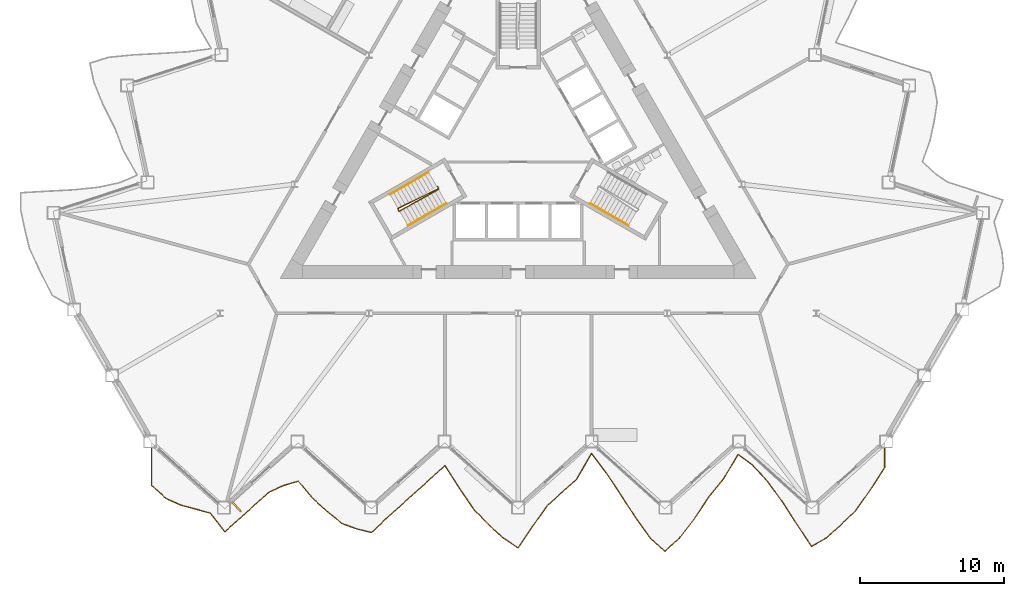
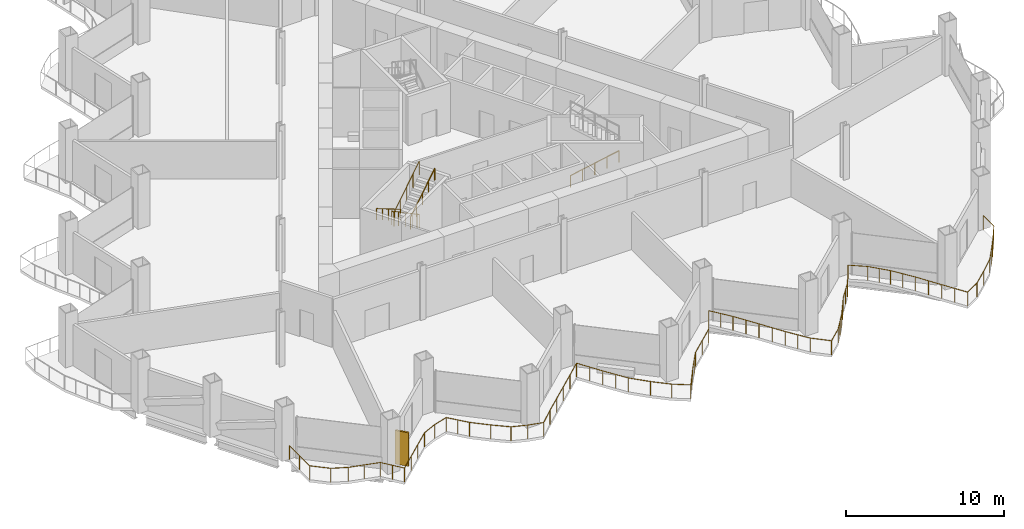
# One storey, part 17 of 21: 5 railings, 1 shading device.
"""IFC4 building model written with IfcOpenShell, lengths in metres."""

from ifc_helpers import new_model, si_unit, direction, frame, origin, origin_2d, place, context, subcontext, project, spatial, rectangle, circle, extrude, material, layer, layer_set, type_object, element, save


model = new_model("IFC4")

# Units and contexts
model_context = context("Model", 3, precision=1e-05, world=origin(), true_north=direction((0.0, 1.0)))
body_context = subcontext(model_context, "Body", "Model", "MODEL_VIEW")
ifc_project = project(units=[si_unit("LENGTHUNIT", "METRE"), si_unit("AREAUNIT", "SQUARE_METRE"), si_unit("VOLUMEUNIT", "CUBIC_METRE"), si_unit("PLANEANGLEUNIT", "RADIAN"), si_unit("MASSUNIT", "GRAM", prefix="KILO")], contexts=[model_context])

# Site, building, storey
site_placement = place(None, origin())
site = spatial("IfcSite", under=ifc_project, at=site_placement, CompositionType="ELEMENT")
building_placement = place(site_placement, origin())
building = spatial("IfcBuilding", under=site, at=building_placement, Name="Cormorant Prow Tower", CompositionType="ELEMENT")
storey_placement = place(building_placement, frame((0.0, 0.0, 150.0)))
storey = spatial("IfcBuildingStorey", under=building, at=storey_placement, Name="L32", CompositionType="ELEMENT", Elevation=150.0)

# Railings
ifc_material_1 = material(Name="Aluminium 6063-T6", Category="aluminium")
railing_type_1 = type_object("IfcRailingType", Name="Balcony guard 1100", PredefinedType="GUARDRAIL", material=ifc_material_1)
railing_1_placement = place(storey_placement, frame((-25.406982421875, -21.28173828125, 0.0)))
element("IfcRailing", 1, at=railing_1_placement, inside=storey, type_object=railing_type_1, Name="Balcony guard S", PredefinedType="GUARDRAIL", context=body_context, shape_type="SweptSolid", body=[
    extrude(circle(Radius=0.02392578125, at=origin_2d()), frame((0.0, 0.0, 1.076171875), z_axis=(0.0, -1.0, 0.0), x_axis=(1.0, 0.0, 0.0)), (0.0, 0.0, 1.0), 2.570068359375),
    extrude(circle(Radius=0.02392578125, at=origin_2d()), frame((0.0, -2.570068359375, 1.076171875), z_axis=(0.74309880159, -0.66918171753, 0.0), x_axis=(0.66918171753, 0.74309880159, 0.0)), (0.0, 0.0, 1.0), 1.367431640625),
    extrude(circle(Radius=0.02392578125, at=origin_2d()), frame((1.01611328125, -3.485107421875, 1.076171875), z_axis=(0.910800547714, -0.412846657107, 0.0), x_axis=(0.412846657107, 0.910800547714, 0.0)), (0.0, 0.0, 1.0), 1.115966796875),
    extrude(circle(Radius=0.02392578125, at=origin_2d()), frame((2.032470703125, -3.94580078125, 1.076171875), z_axis=(0.966688326901, -0.255956399867, 0.0), x_axis=(0.255956399867, 0.966688326901, 0.0)), (0.0, 0.0, 1.0), 1.051025390625),
    extrude(circle(Radius=0.02392578125, at=origin_2d()), frame((3.048583984375, -4.21484375, 1.076171875), z_axis=(0.963302113843, -0.268419517669, 0.0), x_axis=(0.268419517669, 0.963302113843, 0.0)), (0.0, 0.0, 1.0), 1.05517578125),
    extrude(circle(Radius=0.02392578125, at=origin_2d()), frame((4.06494140625, -4.498046875, 1.076171875), z_axis=(0.616767557599, -0.787145335941, 0.0), x_axis=(0.787145335941, 0.616767557599, 0.0)), (0.0, 0.0, 1.0), 1.64794921875),
    extrude(circle(Radius=0.02392578125, at=origin_2d()), frame((5.081298828125, -5.795166015625, 1.076171875), z_axis=(0.743267512423, 0.668994323576, 0.0), x_axis=(-0.668994323576, 0.743267512423, 0.0)), (0.0, 0.0, 1.0), 1.367431640625),
    extrude(circle(Radius=0.02392578125, at=origin_2d()), frame((6.09765625, -4.88037109375, 1.076171875), z_axis=(0.743010021575, 0.669280290938, 0.0), x_axis=(-0.669280290938, 0.743010021575, 0.0)), (0.0, 0.0, 1.0), 1.36767578125),
    extrude(circle(Radius=0.02392578125, at=origin_2d()), frame((7.11376953125, -3.965087890625, 1.076171875), z_axis=(0.743178738286, 0.66909294045, 0.0), x_axis=(-0.66909294045, 0.743178738286, 0.0)), (0.0, 0.0, 1.0), 1.36767578125),
    extrude(circle(Radius=0.02392578125, at=origin_2d()), frame((8.130126953125, -3.050048828125, 1.076171875), z_axis=(0.90956415091, 0.415563539522, 0.0), x_axis=(-0.415563539522, 0.90956415091, 0.0)), (0.0, 0.0, 1.0), 1.117431640625),
    extrude(circle(Radius=0.02392578125, at=origin_2d()), frame((9.146484375, -2.585693359375, 1.076171875), z_axis=(0.95874697123, 0.28426087518, 0.0), x_axis=(-0.28426087518, 0.95874697123, 0.0)), (0.0, 0.0, 1.0), 1.059814453125),
    extrude(circle(Radius=0.02392578125, at=origin_2d()), frame((10.16259765625, -2.284423828125, 1.076171875), z_axis=(0.646088329609, -0.763262648335, 0.0), x_axis=(0.763262648335, 0.646088329609, 0.0)), (0.0, 0.0, 1.0), 1.572998046875),
    extrude(circle(Radius=0.02392578125, at=origin_2d()), frame((11.178955078125, -3.485107421875, 1.076171875), z_axis=(0.743178738286, -0.66909294045, 0.0), x_axis=(0.66909294045, 0.743178738286, 0.0)), (0.0, 0.0, 1.0), 1.36767578125),
    extrude(circle(Radius=0.02392578125, at=origin_2d()), frame((12.1953125, -4.400146484375, 1.076171875), z_axis=(0.777340526848, -0.62908004683, 0.0), x_axis=(0.62908004683, 0.777340526848, 0.0)), (0.0, 0.0, 1.0), 1.307373046875),
    extrude(circle(Radius=0.02392578125, at=origin_2d()), frame((13.211669921875, -5.22265625, 1.076171875), z_axis=(0.939898875308, -0.341452931155, 0.0), x_axis=(0.341452931155, 0.939898875308, 0.0)), (0.0, 0.0, 1.0), 1.0810546875),
    extrude(circle(Radius=0.02392578125, at=origin_2d()), frame((14.227783203125, -5.591796875, 1.076171875), z_axis=(0.970347817748, -0.241712872209, 0.0), x_axis=(0.241712872209, 0.970347817748, 0.0)), (0.0, 0.0, 1.0), 1.04736328125),
    extrude(circle(Radius=0.02392578125, at=origin_2d()), frame((15.244140625, -5.844970703125, 1.076171875), z_axis=(0.725334306723, 0.688396792185, 0.0), x_axis=(-0.688396792185, 0.725334306723, 0.0)), (0.0, 0.0, 1.0), 1.401123046875),
    extrude(circle(Radius=0.02392578125, at=origin_2d()), frame((16.260498046875, -4.88037109375, 1.076171875), z_axis=(0.743010021575, 0.669280290938, 0.0), x_axis=(-0.669280290938, 0.743010021575, 0.0)), (0.0, 0.0, 1.0), 1.36767578125),
    extrude(circle(Radius=0.02392578125, at=origin_2d()), frame((17.276611328125, -3.965087890625, 1.076171875), z_axis=(0.743178738286, 0.66909294045, 0.0), x_axis=(-0.66909294045, 0.743178738286, 0.0)), (0.0, 0.0, 1.0), 1.36767578125),
    extrude(circle(Radius=0.02392578125, at=origin_2d()), frame((18.29296875, -3.050048828125, 1.076171875), z_axis=(0.743178738286, 0.66909294045, 0.0), x_axis=(-0.66909294045, 0.743178738286, 0.0)), (0.0, 0.0, 1.0), 1.36767578125),
    extrude(circle(Radius=0.02392578125, at=origin_2d()), frame((19.309326171875, -2.135009765625, 1.076171875), z_axis=(0.737690862184, 0.67513864639, 0.0), x_axis=(-0.67513864639, 0.737690862184, 0.0)), (0.0, 0.0, 1.0), 1.377685546875),
    extrude(circle(Radius=0.02392578125, at=origin_2d()), frame((20.32568359375, -1.204833984375, 1.076171875), z_axis=(0.541362265763, -0.840789448797, 0.0), x_axis=(0.840789448797, 0.541362265763, 0.0)), (0.0, 0.0, 1.0), 1.876953125),
    extrude(circle(Radius=0.02392578125, at=origin_2d()), frame((21.341796875, -2.782958984375, 1.076171875), z_axis=(0.5659747832, -0.824422552325, 0.0), x_axis=(0.824422552325, 0.5659747832, 0.0)), (0.0, 0.0, 1.0), 1.795654296875),
    extrude(circle(Radius=0.02392578125, at=origin_2d()), frame((22.358154296875, -4.263427734375, 1.076171875), z_axis=(0.694814948, -0.719188562226, 0.0), x_axis=(0.719188562226, 0.694814948, 0.0)), (0.0, 0.0, 1.0), 1.46240234375),
    extrude(circle(Radius=0.02392578125, at=origin_2d()), frame((23.374267578125, -5.315185546875, 1.076171875), z_axis=(0.743178738286, -0.66909294045, 0.0), x_axis=(0.66909294045, 0.743178738286, 0.0)), (0.0, 0.0, 1.0), 1.36767578125),
    extrude(circle(Radius=0.02392578125, at=origin_2d()), frame((24.390625, -6.230224609375, 1.076171875), z_axis=(0.830697075509, -0.556724679479, 0.0), x_axis=(0.556724679479, 0.830697075509, 0.0)), (0.0, 0.0, 1.0), 1.223388671875),
    extrude(circle(Radius=0.02392578125, at=origin_2d()), frame((25.406982421875, -6.911376953125, 1.076171875), z_axis=(0.557261507193, 0.83033704759, 0.0), x_axis=(-0.83033704759, 0.557261507193, 0.0)), (0.0, 0.0, 1.0), 1.82373046875),
    extrude(circle(Radius=0.02392578125, at=origin_2d()), frame((26.42333984375, -5.39697265625, 1.076171875), z_axis=(0.578815608852, 0.81545845446, 0.0), x_axis=(-0.81545845446, 0.578815608852, 0.0)), (0.0, 0.0, 1.0), 1.755859375),
    extrude(circle(Radius=0.02392578125, at=origin_2d()), frame((27.439697265625, -3.965087890625, 1.076171875), z_axis=(0.74309880159, 0.66918171753, 0.0), x_axis=(-0.66918171753, 0.74309880159, 0.0)), (0.0, 0.0, 1.0), 1.367431640625),
    extrude(circle(Radius=0.02392578125, at=origin_2d()), frame((28.455810546875, -3.050048828125, 1.076171875), z_axis=(0.743178738286, 0.66909294045, 0.0), x_axis=(-0.66909294045, 0.743178738286, 0.0)), (0.0, 0.0, 1.0), 1.36767578125),
    extrude(circle(Radius=0.02392578125, at=origin_2d()), frame((29.47216796875, -2.135009765625, 1.076171875), z_axis=(0.498950803008, 0.866630311135, 0.0), x_axis=(-0.866630311135, 0.498950803008, 0.0)), (0.0, 0.0, 1.0), 2.03662109375),
    extrude(circle(Radius=0.02392578125, at=origin_2d()), frame((30.48828125, -0.3701171875, 1.076171875), z_axis=(0.607867350829, -0.794038590874, 0.0), x_axis=(0.794038590874, 0.607867350829, 0.0)), (0.0, 0.0, 1.0), 1.672119140625),
    extrude(circle(Radius=0.02392578125, at=origin_2d()), frame((31.504638671875, -1.69775390625, 1.076171875), z_axis=(0.551974021557, -0.833861307128, 0.0), x_axis=(0.833861307128, 0.551974021557, 0.0)), (0.0, 0.0, 1.0), 1.84130859375),
    extrude(circle(Radius=0.02392578125, at=origin_2d()), frame((32.52099609375, -3.233154296875, 1.076171875), z_axis=(0.543890343135, -0.839156299294, 0.0), x_axis=(0.839156299294, 0.543890343135, 0.0)), (0.0, 0.0, 1.0), 1.86865234375),
    extrude(circle(Radius=0.02392578125, at=origin_2d()), frame((33.537353515625, -4.80126953125, 1.076171875), z_axis=(0.582614503828, -0.812748632683, 0.0), x_axis=(0.812748632683, 0.582614503828, 0.0)), (0.0, 0.0, 1.0), 1.744140625),
    extrude(circle(Radius=0.02392578125, at=origin_2d()), frame((34.553466796875, -6.21875, 1.076171875), z_axis=(0.73901562926, -0.673688280817, 0.0), x_axis=(0.673688280817, 0.73901562926, 0.0)), (0.0, 0.0, 1.0), 1.375244140625),
    extrude(circle(Radius=0.02392578125, at=origin_2d()), frame((35.56982421875, -7.145263671875, 1.076171875), z_axis=(0.743178738286, 0.66909294045, 0.0), x_axis=(-0.66909294045, 0.743178738286, 0.0)), (0.0, 0.0, 1.0), 1.36767578125),
    extrude(circle(Radius=0.02392578125, at=origin_2d()), frame((36.586181640625, -6.230224609375, 1.076171875), z_axis=(0.612380904836, 0.790562854802, 0.0), x_axis=(-0.790562854802, 0.612380904836, 0.0)), (0.0, 0.0, 1.0), 1.6591796875),
    extrude(circle(Radius=0.02392578125, at=origin_2d()), frame((37.602294921875, -4.91845703125, 1.076171875), z_axis=(0.547848443365, 0.836577601363, 0.0), x_axis=(-0.836577601363, 0.547848443365, 0.0)), (0.0, 0.0, 1.0), 1.855224609375),
    extrude(circle(Radius=0.02392578125, at=origin_2d()), frame((38.61865234375, -3.366455078125, 1.076171875), z_axis=(0.636537608326, 0.771245663318, 0.0), x_axis=(-0.771245663318, 0.636537608326, 0.0)), (0.0, 0.0, 1.0), 1.5966796875),
    extrude(circle(Radius=0.02392578125, at=origin_2d()), frame((39.635009765625, -2.135009765625, 1.076171875), z_axis=(0.511799383387, 0.859104994261, 0.0), x_axis=(-0.859104994261, 0.511799383387, 0.0)), (0.0, 0.0, 1.0), 1.98583984375),
    extrude(circle(Radius=0.02392578125, at=origin_2d()), frame((40.6513671875, -0.428955078125, 1.076171875), z_axis=(0.802076500161, -0.597221305622, 0.0), x_axis=(0.597221305622, 0.802076500161, 0.0)), (0.0, 0.0, 1.0), 1.266845703125),
    extrude(circle(Radius=0.02392578125, at=origin_2d()), frame((41.66748046875, -1.185546875, 1.076171875), z_axis=(0.675842243464, -0.73704630923, 0.0), x_axis=(0.73704630923, 0.675842243464, 0.0)), (0.0, 0.0, 1.0), 1.50390625),
    extrude(circle(Radius=0.02392578125, at=origin_2d()), frame((42.683837890625, -2.2939453125, 1.076171875), z_axis=(0.585901565641, -0.810382227951, 0.0), x_axis=(0.810382227951, 0.585901565641, 0.0)), (0.0, 0.0, 1.0), 1.734619140625),
    extrude(circle(Radius=0.02392578125, at=origin_2d()), frame((43.7001953125, -3.69970703125, 1.076171875), z_axis=(0.54457436519, -0.838712561476, 0.0), x_axis=(0.838712561476, 0.54457436519, 0.0)), (0.0, 0.0, 1.0), 1.865966796875),
    extrude(circle(Radius=0.02392578125, at=origin_2d()), frame((44.71630859375, -5.2646484375, 1.076171875), z_axis=(0.550512395997, -0.834826989174, 0.0), x_axis=(0.834826989174, 0.550512395997, 0.0)), (0.0, 0.0, 1.0), 1.84619140625),
    extrude(circle(Radius=0.02392578125, at=origin_2d()), frame((45.732666015625, -6.805908203125, 1.076171875), z_axis=(0.870114810567, 0.492849080787, 0.0), x_axis=(-0.492849080787, 0.870114810567, 0.0)), (0.0, 0.0, 1.0), 1.16796875),
    extrude(circle(Radius=0.02392578125, at=origin_2d()), frame((46.7490234375, -6.230224609375, 1.076171875), z_axis=(0.743178738286, 0.66909294045, 0.0), x_axis=(-0.66909294045, 0.743178738286, 0.0)), (0.0, 0.0, 1.0), 1.36767578125),
    extrude(circle(Radius=0.02392578125, at=origin_2d()), frame((47.765380859375, -5.315185546875, 1.076171875), z_axis=(0.724729830954, 0.68903314298, 0.0), x_axis=(-0.68903314298, 0.724729830954, 0.0)), (0.0, 0.0, 1.0), 1.402099609375),
    extrude(circle(Radius=0.02392578125, at=origin_2d()), frame((48.781494140625, -4.34912109375, 1.076171875), z_axis=(0.576590751508, 0.817033111493, 0.0), x_axis=(-0.817033111493, 0.576590751508, 0.0)), (0.0, 0.0, 1.0), 1.7626953125),
    extrude(circle(Radius=0.02392578125, at=origin_2d()), frame((49.7978515625, -2.908935546875, 1.076171875), z_axis=(0.542489022655, 0.840062890681, 0.0), x_axis=(-0.840062890681, 0.542489022655, 0.0)), (0.0, 0.0, 1.0), 1.873046875),
    extrude(circle(Radius=0.02392578125, at=origin_2d()), frame((50.81396484375, -1.33544921875, 1.076171875), z_axis=(0.0, 1.0, 0.0), x_axis=(-1.0, 0.0, 0.0)), (0.0, 0.0, 1.0), 1.33544921875),
    extrude(circle(Radius=0.02099609375, at=origin_2d()), origin(), (0.0, 0.0, 1.0), 1.052001953125),
    extrude(circle(Radius=0.02099609375, at=origin_2d()), frame((0.0, -1.28515625, 0.0)), (0.0, 0.0, 1.0), 1.052001953125),
    extrude(circle(Radius=0.02099609375, at=origin_2d()), frame((0.0, -2.570068359375, 0.0)), (0.0, 0.0, 1.0), 1.052001953125),
    extrude(circle(Radius=0.02099609375, at=origin_2d()), frame((1.01611328125, -3.485107421875, 0.0)), (0.0, 0.0, 1.0), 1.052001953125),
    extrude(circle(Radius=0.02099609375, at=origin_2d()), frame((2.032470703125, -3.94580078125, 0.0)), (0.0, 0.0, 1.0), 1.052001953125),
    extrude(circle(Radius=0.02099609375, at=origin_2d()), frame((3.048583984375, -4.21484375, 0.0)), (0.0, 0.0, 1.0), 1.052001953125),
    extrude(circle(Radius=0.02099609375, at=origin_2d()), frame((4.06494140625, -4.498046875, 0.0)), (0.0, 0.0, 1.0), 1.052001953125),
    extrude(circle(Radius=0.02099609375, at=origin_2d()), frame((4.5732421875, -5.146484375, 0.0)), (0.0, 0.0, 1.0), 1.052001953125),
    extrude(circle(Radius=0.02099609375, at=origin_2d()), frame((5.081298828125, -5.795166015625, 0.0)), (0.0, 0.0, 1.0), 1.052001953125),
    extrude(circle(Radius=0.02099609375, at=origin_2d()), frame((6.09765625, -4.88037109375, 0.0)), (0.0, 0.0, 1.0), 1.052001953125),
    extrude(circle(Radius=0.02099609375, at=origin_2d()), frame((7.11376953125, -3.965087890625, 0.0)), (0.0, 0.0, 1.0), 1.052001953125),
    extrude(circle(Radius=0.02099609375, at=origin_2d()), frame((8.130126953125, -3.050048828125, 0.0)), (0.0, 0.0, 1.0), 1.052001953125),
    extrude(circle(Radius=0.02099609375, at=origin_2d()), frame((9.146484375, -2.585693359375, 0.0)), (0.0, 0.0, 1.0), 1.052001953125),
    extrude(circle(Radius=0.02099609375, at=origin_2d()), frame((10.16259765625, -2.284423828125, 0.0)), (0.0, 0.0, 1.0), 1.052001953125),
    extrude(circle(Radius=0.02099609375, at=origin_2d()), frame((10.6708984375, -2.884765625, 0.0)), (0.0, 0.0, 1.0), 1.052001953125),
    extrude(circle(Radius=0.02099609375, at=origin_2d()), frame((11.178955078125, -3.485107421875, 0.0)), (0.0, 0.0, 1.0), 1.052001953125),
    extrude(circle(Radius=0.02099609375, at=origin_2d()), frame((12.1953125, -4.400146484375, 0.0)), (0.0, 0.0, 1.0), 1.052001953125),
    extrude(circle(Radius=0.02099609375, at=origin_2d()), frame((13.211669921875, -5.22265625, 0.0)), (0.0, 0.0, 1.0), 1.052001953125),
    extrude(circle(Radius=0.02099609375, at=origin_2d()), frame((14.227783203125, -5.591796875, 0.0)), (0.0, 0.0, 1.0), 1.052001953125),
    extrude(circle(Radius=0.02099609375, at=origin_2d()), frame((15.244140625, -5.844970703125, 0.0)), (0.0, 0.0, 1.0), 1.052001953125),
    extrude(circle(Radius=0.02099609375, at=origin_2d()), frame((16.260498046875, -4.88037109375, 0.0)), (0.0, 0.0, 1.0), 1.052001953125),
    extrude(circle(Radius=0.02099609375, at=origin_2d()), frame((17.276611328125, -3.965087890625, 0.0)), (0.0, 0.0, 1.0), 1.052001953125),
    extrude(circle(Radius=0.02099609375, at=origin_2d()), frame((18.29296875, -3.050048828125, 0.0)), (0.0, 0.0, 1.0), 1.052001953125),
    extrude(circle(Radius=0.02099609375, at=origin_2d()), frame((19.309326171875, -2.135009765625, 0.0)), (0.0, 0.0, 1.0), 1.052001953125),
    extrude(circle(Radius=0.02099609375, at=origin_2d()), frame((20.32568359375, -1.204833984375, 0.0)), (0.0, 0.0, 1.0), 1.052001953125),
    extrude(circle(Radius=0.02099609375, at=origin_2d()), frame((20.833740234375, -1.993896484375, 0.0)), (0.0, 0.0, 1.0), 1.052001953125),
    extrude(circle(Radius=0.02099609375, at=origin_2d()), frame((21.341796875, -2.782958984375, 0.0)), (0.0, 0.0, 1.0), 1.052001953125),
    extrude(circle(Radius=0.02099609375, at=origin_2d()), frame((21.85009765625, -3.523193359375, 0.0)), (0.0, 0.0, 1.0), 1.052001953125),
    extrude(circle(Radius=0.02099609375, at=origin_2d()), frame((22.358154296875, -4.263427734375, 0.0)), (0.0, 0.0, 1.0), 1.052001953125),
    extrude(circle(Radius=0.02099609375, at=origin_2d()), frame((23.374267578125, -5.315185546875, 0.0)), (0.0, 0.0, 1.0), 1.052001953125),
    extrude(circle(Radius=0.02099609375, at=origin_2d()), frame((24.390625, -6.230224609375, 0.0)), (0.0, 0.0, 1.0), 1.052001953125),
    extrude(circle(Radius=0.02099609375, at=origin_2d()), frame((25.406982421875, -6.911376953125, 0.0)), (0.0, 0.0, 1.0), 1.052001953125),
    extrude(circle(Radius=0.02099609375, at=origin_2d()), frame((25.9150390625, -6.154296875, 0.0)), (0.0, 0.0, 1.0), 1.052001953125),
    extrude(circle(Radius=0.02099609375, at=origin_2d()), frame((26.42333984375, -5.39697265625, 0.0)), (0.0, 0.0, 1.0), 1.052001953125),
    extrude(circle(Radius=0.02099609375, at=origin_2d()), frame((26.931640625, -4.68115234375, 0.0)), (0.0, 0.0, 1.0), 1.052001953125),
    extrude(circle(Radius=0.02099609375, at=origin_2d()), frame((27.439697265625, -3.965087890625, 0.0)), (0.0, 0.0, 1.0), 1.052001953125),
    extrude(circle(Radius=0.02099609375, at=origin_2d()), frame((28.455810546875, -3.050048828125, 0.0)), (0.0, 0.0, 1.0), 1.052001953125),
    extrude(circle(Radius=0.02099609375, at=origin_2d()), frame((29.47216796875, -2.135009765625, 0.0)), (0.0, 0.0, 1.0), 1.052001953125),
    extrude(circle(Radius=0.02099609375, at=origin_2d()), frame((29.980224609375, -1.25244140625, 0.0)), (0.0, 0.0, 1.0), 1.052001953125),
    extrude(circle(Radius=0.02099609375, at=origin_2d()), frame((30.48828125, -0.3701171875, 0.0)), (0.0, 0.0, 1.0), 1.052001953125),
    extrude(circle(Radius=0.02099609375, at=origin_2d()), frame((30.99658203125, -1.033935546875, 0.0)), (0.0, 0.0, 1.0), 1.052001953125),
    extrude(circle(Radius=0.02099609375, at=origin_2d()), frame((31.504638671875, -1.69775390625, 0.0)), (0.0, 0.0, 1.0), 1.052001953125),
    extrude(circle(Radius=0.02099609375, at=origin_2d()), frame((32.0126953125, -2.46533203125, 0.0)), (0.0, 0.0, 1.0), 1.052001953125),
    extrude(circle(Radius=0.02099609375, at=origin_2d()), frame((32.52099609375, -3.233154296875, 0.0)), (0.0, 0.0, 1.0), 1.052001953125),
    extrude(circle(Radius=0.02099609375, at=origin_2d()), frame((33.029296875, -4.01708984375, 0.0)), (0.0, 0.0, 1.0), 1.052001953125),
    extrude(circle(Radius=0.02099609375, at=origin_2d()), frame((33.537353515625, -4.80126953125, 0.0)), (0.0, 0.0, 1.0), 1.052001953125),
    extrude(circle(Radius=0.02099609375, at=origin_2d()), frame((34.04541015625, -5.510009765625, 0.0)), (0.0, 0.0, 1.0), 1.052001953125),
    extrude(circle(Radius=0.02099609375, at=origin_2d()), frame((34.553466796875, -6.21875, 0.0)), (0.0, 0.0, 1.0), 1.052001953125),
    extrude(circle(Radius=0.02099609375, at=origin_2d()), frame((35.56982421875, -7.145263671875, 0.0)), (0.0, 0.0, 1.0), 1.052001953125),
    extrude(circle(Radius=0.02099609375, at=origin_2d()), frame((36.586181640625, -6.230224609375, 0.0)), (0.0, 0.0, 1.0), 1.052001953125),
    extrude(circle(Radius=0.02099609375, at=origin_2d()), frame((37.09423828125, -5.57421875, 0.0)), (0.0, 0.0, 1.0), 1.052001953125),
    extrude(circle(Radius=0.02099609375, at=origin_2d()), frame((37.602294921875, -4.91845703125, 0.0)), (0.0, 0.0, 1.0), 1.052001953125),
    extrude(circle(Radius=0.02099609375, at=origin_2d()), frame((38.1103515625, -4.142578125, 0.0)), (0.0, 0.0, 1.0), 1.052001953125),
    extrude(circle(Radius=0.02099609375, at=origin_2d()), frame((38.61865234375, -3.366455078125, 0.0)), (0.0, 0.0, 1.0), 1.052001953125),
    extrude(circle(Radius=0.02099609375, at=origin_2d()), frame((39.126953125, -2.750732421875, 0.0)), (0.0, 0.0, 1.0), 1.052001953125),
    extrude(circle(Radius=0.02099609375, at=origin_2d()), frame((39.635009765625, -2.135009765625, 0.0)), (0.0, 0.0, 1.0), 1.052001953125),
    extrude(circle(Radius=0.02099609375, at=origin_2d()), frame((40.14306640625, -1.281982421875, 0.0)), (0.0, 0.0, 1.0), 1.052001953125),
    extrude(circle(Radius=0.02099609375, at=origin_2d()), frame((40.6513671875, -0.428955078125, 0.0)), (0.0, 0.0, 1.0), 1.052001953125),
    extrude(circle(Radius=0.02099609375, at=origin_2d()), frame((41.66748046875, -1.185546875, 0.0)), (0.0, 0.0, 1.0), 1.052001953125),
    extrude(circle(Radius=0.02099609375, at=origin_2d()), frame((42.17578125, -1.73974609375, 0.0)), (0.0, 0.0, 1.0), 1.052001953125),
    extrude(circle(Radius=0.02099609375, at=origin_2d()), frame((42.683837890625, -2.2939453125, 0.0)), (0.0, 0.0, 1.0), 1.052001953125),
    extrude(circle(Radius=0.02099609375, at=origin_2d()), frame((43.19189453125, -2.996826171875, 0.0)), (0.0, 0.0, 1.0), 1.052001953125),
    extrude(circle(Radius=0.02099609375, at=origin_2d()), frame((43.7001953125, -3.69970703125, 0.0)), (0.0, 0.0, 1.0), 1.052001953125),
    extrude(circle(Radius=0.02099609375, at=origin_2d()), frame((44.208251953125, -4.482177734375, 0.0)), (0.0, 0.0, 1.0), 1.052001953125),
    extrude(circle(Radius=0.02099609375, at=origin_2d()), frame((44.71630859375, -5.2646484375, 0.0)), (0.0, 0.0, 1.0), 1.052001953125),
    extrude(circle(Radius=0.02099609375, at=origin_2d()), frame((45.224609375, -6.03515625, 0.0)), (0.0, 0.0, 1.0), 1.052001953125),
    extrude(circle(Radius=0.02099609375, at=origin_2d()), frame((45.732666015625, -6.805908203125, 0.0)), (0.0, 0.0, 1.0), 1.052001953125),
    extrude(circle(Radius=0.02099609375, at=origin_2d()), frame((46.7490234375, -6.230224609375, 0.0)), (0.0, 0.0, 1.0), 1.052001953125),
    extrude(circle(Radius=0.02099609375, at=origin_2d()), frame((47.765380859375, -5.315185546875, 0.0)), (0.0, 0.0, 1.0), 1.052001953125),
    extrude(circle(Radius=0.02099609375, at=origin_2d()), frame((48.781494140625, -4.34912109375, 0.0)), (0.0, 0.0, 1.0), 1.052001953125),
    extrude(circle(Radius=0.02099609375, at=origin_2d()), frame((49.28955078125, -3.62890625, 0.0)), (0.0, 0.0, 1.0), 1.052001953125),
    extrude(circle(Radius=0.02099609375, at=origin_2d()), frame((49.7978515625, -2.908935546875, 0.0)), (0.0, 0.0, 1.0), 1.052001953125),
    extrude(circle(Radius=0.02099609375, at=origin_2d()), frame((50.305908203125, -2.1220703125, 0.0)), (0.0, 0.0, 1.0), 1.052001953125),
    extrude(circle(Radius=0.02099609375, at=origin_2d()), frame((50.81396484375, -1.33544921875, 0.0)), (0.0, 0.0, 1.0), 1.052001953125),
    extrude(circle(Radius=0.02099609375, at=origin_2d()), frame((50.81396484375, 0.0, 0.0)), (0.0, 0.0, 1.0), 1.052001953125),
])
ifc_material_2 = material(Name="Stainless steel", Category="steel")
railing_type_2 = type_object("IfcRailingType", Name="Stair guard 1100", PredefinedType="GUARDRAIL", material=ifc_material_2)
railing_2_placement = place(storey_placement, frame((-5.585205078125, -3.137939453125, 0.0)))
element("IfcRailing", 2, at=railing_2_placement, inside=storey, type_object=railing_type_2, Name="L32 ST1 stair guard 1", PredefinedType="GUARDRAIL", context=body_context, shape_type="SweptSolid", body=[
    extrude(circle(Radius=0.02392578125, at=origin_2d()), frame((0.0, 0.0, 1.076171875), z_axis=(0.501036270542, -0.865426285481, 0.0), x_axis=(0.865426285481, 0.501036270542, 0.0)), (0.0, 0.0, 1.0), 0.150146484375),
    extrude(circle(Radius=0.02392578125, at=origin_2d()), frame((0.0751953125, -0.1298828125, 1.076171875), z_axis=(-0.744644002882, -0.368732342607, 0.556364780057), x_axis=(0.443754251299, -0.896148516963, 0.0)), (0.0, 0.0, 1.0), 3.774658203125),
    extrude(circle(Radius=0.02392578125, at=origin_2d()), frame((-2.735595703125, -1.521728515625, 3.17626953125), z_axis=(0.274721127897, -0.961523947641, 0.0), x_axis=(0.961523947641, 0.274721127897, 0.0)), (0.0, 0.0, 1.0), 0.2060546875),
    extrude(circle(Radius=0.02392578125, at=origin_2d()), frame((-2.678955078125, -1.719970703125, 3.17626953125), z_axis=(0.725764528363, 0.403684660475, 0.557049857973), x_axis=(-0.486086505765, 0.873910698477, 0.0)), (0.0, 0.0, 1.0), 3.76953125),
    extrude(circle(Radius=0.02099609375, at=origin_2d()), origin(), (0.0, 0.0, 1.0), 1.052001953125),
    extrude(circle(Radius=0.02099609375, at=origin_2d()), frame((0.0751953125, -0.1298828125, 0.0)), (0.0, 0.0, 1.0), 1.052001953125),
    extrude(circle(Radius=0.02099609375, at=origin_2d()), frame((-0.62744140625, -0.477783203125, 0.52490234375)), (0.0, 0.0, 1.0), 1.052001953125),
    extrude(circle(Radius=0.02099609375, at=origin_2d()), frame((-1.330078125, -0.82568359375, 1.050048828125)), (0.0, 0.0, 1.0), 1.052001953125),
    extrude(circle(Radius=0.02099609375, at=origin_2d()), frame((-2.032958984375, -1.173828125, 1.5751953125)), (0.0, 0.0, 1.0), 1.052001953125),
    extrude(circle(Radius=0.02099609375, at=origin_2d()), frame((-2.735595703125, -1.521728515625, 2.10009765625)), (0.0, 0.0, 1.0), 1.052001953125),
    extrude(circle(Radius=0.02099609375, at=origin_2d()), frame((-2.678955078125, -1.719970703125, 2.10009765625)), (0.0, 0.0, 1.0), 1.052001953125),
    extrude(circle(Radius=0.02099609375, at=origin_2d()), frame((-1.9951171875, -1.339599609375, 2.625)), (0.0, 0.0, 1.0), 1.052001953125),
    extrude(circle(Radius=0.02099609375, at=origin_2d()), frame((-1.31103515625, -0.958984375, 3.14990234375)), (0.0, 0.0, 1.0), 1.052001953125),
    extrude(circle(Radius=0.02099609375, at=origin_2d()), frame((-0.626953125, -0.57861328125, 3.675048828125)), (0.0, 0.0, 1.0), 1.052001953125),
    extrude(circle(Radius=0.02099609375, at=origin_2d()), frame((0.056884765625, -0.1982421875, 4.199951171875)), (0.0, 0.0, 1.0), 1.052001953125),
])
ifc_material_3 = material(Name="Stainless steel", Category="steel")
railing_type_3 = type_object("IfcRailingType", Name="Stair handrail 900", PredefinedType="HANDRAIL", material=ifc_material_3)
railing_3_placement = place(storey_placement, frame((-6.212890625, -2.150634765625, 0.175048828125)))
element("IfcRailing", 3, at=railing_3_placement, inside=storey, type_object=railing_type_3, Name="L32 ST1 stair handrail 1", PredefinedType="HANDRAIL", context=body_context, shape_type="SweptSolid", body=[
    extrude(circle(Radius=0.02392578125, at=origin_2d()), frame((0.0, 0.0, 0.8759765625), z_axis=(-0.734394994316, -0.423994474112, 0.52999309264), x_axis=(0.499992328818, -0.866029832698, 0.0)), (0.0, 0.0, 1.0), 3.63232421875),
    extrude(circle(Radius=0.02099609375, at=origin_2d()), origin(), (0.0, 0.0, 1.0), 0.851806640625),
    extrude(circle(Radius=0.02099609375, at=origin_2d()), frame((-0.6669921875, -0.385009765625, 0.481201171875)), (0.0, 0.0, 1.0), 0.851806640625),
    extrude(circle(Radius=0.02099609375, at=origin_2d()), frame((-1.333740234375, -0.77001953125, 0.96240234375)), (0.0, 0.0, 1.0), 0.851806640625),
    extrude(circle(Radius=0.02099609375, at=origin_2d()), frame((-2.00048828125, -1.155029296875, 1.44384765625)), (0.0, 0.0, 1.0), 0.851806640625),
    extrude(circle(Radius=0.02099609375, at=origin_2d()), frame((-2.66748046875, -1.5400390625, 1.925048828125)), (0.0, 0.0, 1.0), 0.851806640625),
])
railing_4_placement = place(storey_placement, frame((-7.63623046875, -5.84521484375, 2.27490234375)))
element("IfcRailing", 4, at=railing_4_placement, inside=storey, type_object=railing_type_3, Name="L32 ST1 stair handrail 2", PredefinedType="HANDRAIL", context=body_context, shape_type="SweptSolid", body=[
    extrude(circle(Radius=0.02392578125, at=origin_2d()), frame((0.0, 0.0, 0.8759765625), z_axis=(0.734364028329, 0.424015404183, 0.530019255228), x_axis=(-0.500026652407, 0.866010015463, 0.0)), (0.0, 0.0, 1.0), 3.632080078125),
    extrude(circle(Radius=0.02099609375, at=origin_2d()), origin(), (0.0, 0.0, 1.0), 0.851806640625),
    extrude(circle(Radius=0.02099609375, at=origin_2d()), frame((0.666748046875, 0.385009765625, 0.481201171875)), (0.0, 0.0, 1.0), 0.851806640625),
    extrude(circle(Radius=0.02099609375, at=origin_2d()), frame((1.33349609375, 0.77001953125, 0.96240234375)), (0.0, 0.0, 1.0), 0.851806640625),
    extrude(circle(Radius=0.02099609375, at=origin_2d()), frame((2.00048828125, 1.155029296875, 1.44384765625)), (0.0, 0.0, 1.0), 0.851806640625),
    extrude(circle(Radius=0.02099609375, at=origin_2d()), frame((2.667236328125, 1.5400390625, 1.925048828125)), (0.0, 0.0, 1.0), 0.851806640625),
])
railing_5_placement = place(storey_placement, frame((4.968994140625, -4.30517578125, 0.175048828125)))
element("IfcRailing", 5, at=railing_5_placement, inside=storey, type_object=railing_type_3, Name="L32 ST2 stair handrail 1", PredefinedType="HANDRAIL", context=body_context, shape_type="SweptSolid", body=[
    extrude(circle(Radius=0.02392578125, at=origin_2d()), frame((0.0, 0.0, 0.8759765625), z_axis=(0.734364028329, -0.424015404183, 0.530019255228), x_axis=(0.500026652407, 0.866010015463, 0.0)), (0.0, 0.0, 1.0), 3.632080078125),
    extrude(circle(Radius=0.02099609375, at=origin_2d()), origin(), (0.0, 0.0, 1.0), 0.851806640625),
    extrude(circle(Radius=0.02099609375, at=origin_2d()), frame((0.666748046875, -0.385009765625, 0.481201171875)), (0.0, 0.0, 1.0), 0.851806640625),
    extrude(circle(Radius=0.02099609375, at=origin_2d()), frame((1.33349609375, -0.77001953125, 0.96240234375)), (0.0, 0.0, 1.0), 0.851806640625),
    extrude(circle(Radius=0.02099609375, at=origin_2d()), frame((2.00048828125, -1.155029296875, 1.44384765625)), (0.0, 0.0, 1.0), 0.851806640625),
    extrude(circle(Radius=0.02099609375, at=origin_2d()), frame((2.667236328125, -1.5400390625, 1.925048828125)), (0.0, 0.0, 1.0), 0.851806640625),
])

# Shading device
ifc_material_4 = material(Name="Terracotta", Category="masonry")
ifc_layer = layer(ifc_material_4, 0.1201171875)
ifc_layer_set = layer_set([ifc_layer], Name="Terracotta")
shading_device_type = type_object("IfcShadingDeviceType", Name="Terracotta baguette fin 120x900x2600", PredefinedType="USERDEFINED", material=ifc_layer_set)
shading_device_placement = place(storey_placement, frame((-19.50732421875, -25.345703125, 0.0), z_axis=(0.0, 0.0, 1.0), x_axis=(0.743144877867, 0.669130548174, 0.0)))
element("IfcShadingDevice", 6, at=shading_device_placement, inside=storey, type_object=shading_device_type, Name="Baguette fin S01", ObjectType="BAGUETTE", PredefinedType="USERDEFINED", context=body_context, shape_type="SweptSolid", body=[
    extrude(rectangle(XDim=0.1201171875, YDim=0.89990234375, at=origin_2d()), origin(), (0.0, 0.0, 1.0), 2.60009765625),
])

save(model, "model.ifc")
